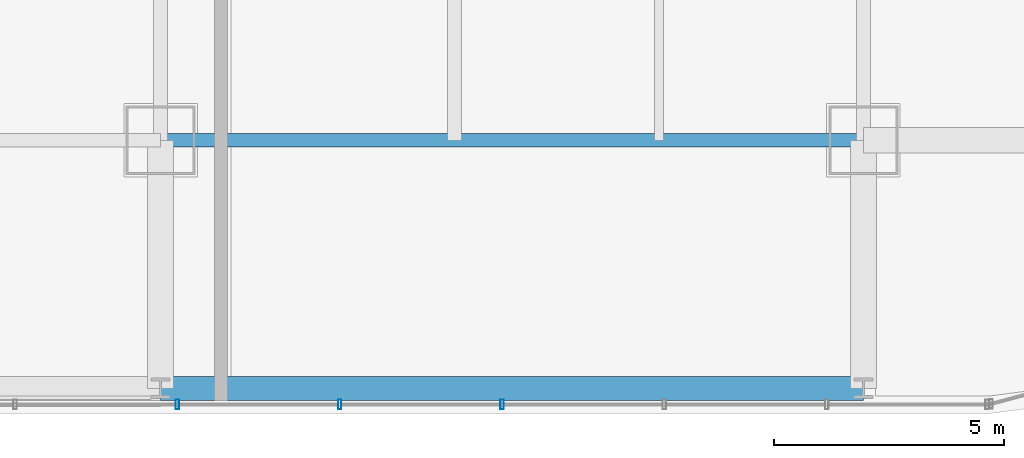
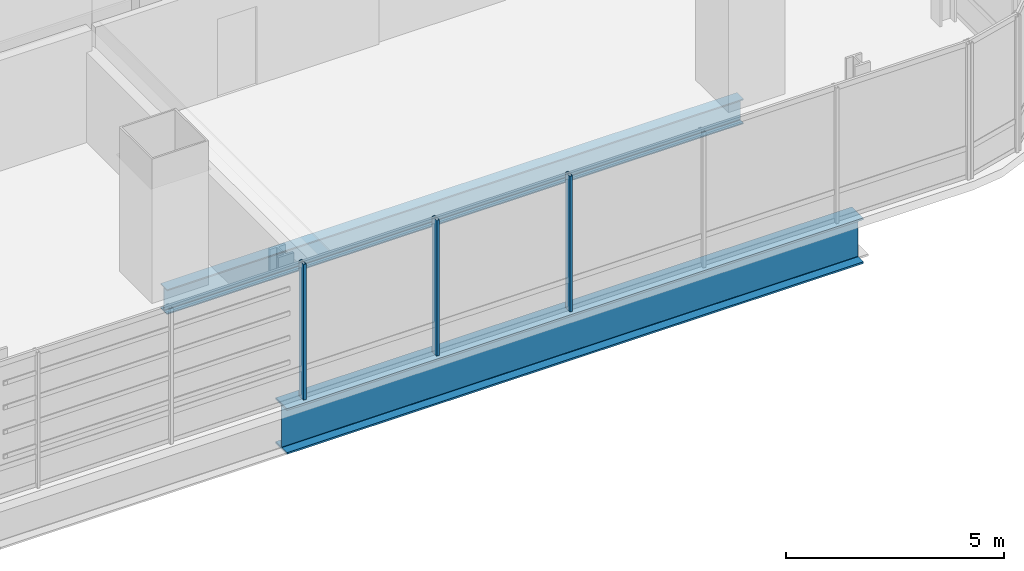
# One storey, part 6 of 34: 3 members, 2 beams, 1 element without a shape of its own.
"""IFC4 building model written with IfcOpenShell, lengths in metres."""

from ifc_helpers import new_model, si_unit, direction, frame, origin, origin_2d, place, context, subcontext, project, spatial, hollow_rectangle, i_section, extrude, material, material_profile, profile_set, type_object, element, aggregate, save


model = new_model("IFC4")

# Units and contexts
model_context = context("Model", 3, precision=1e-05, world=origin(), true_north=direction((0.0, 1.0)))
body_context = subcontext(model_context, "Body", "Model", "MODEL_VIEW")
ifc_project = project(units=[si_unit("LENGTHUNIT", "METRE"), si_unit("AREAUNIT", "SQUARE_METRE"), si_unit("VOLUMEUNIT", "CUBIC_METRE"), si_unit("PLANEANGLEUNIT", "RADIAN"), si_unit("MASSUNIT", "GRAM", prefix="KILO")], contexts=[model_context])

# Site, building, storey
site_placement = place(None, origin())
site = spatial("IfcSite", under=ifc_project, at=site_placement, CompositionType="ELEMENT")
building_placement = place(site_placement, origin())
building = spatial("IfcBuilding", under=site, at=building_placement, Name="Punatoya Terracotta Tower", CompositionType="ELEMENT")
storey_placement = place(building_placement, frame((0.0, 0.0, 80.85009765625)))
storey = spatial("IfcBuildingStorey", under=building, at=storey_placement, Name="L18", CompositionType="ELEMENT", Elevation=80.85009765625)

# Beams
ifc_material_1 = material(Name="Steel S355", Category="steel")
ifc_material_profile_1 = material_profile(ifc_material_1, i_section(OverallWidth=0.300048828125, OverallDepth=0.699951171875, WebThickness=0.01708984375, FlangeThickness=0.031982421875, FilletRadius=0.01806640625, at=origin_2d()))
ifc_profile_set_1 = profile_set([ifc_material_profile_1], Name="Steel S355")
beam_type_1 = type_object("IfcBeamType", Name="BM-PRI-700", PredefinedType="BEAM", material=ifc_profile_set_1)
beam_1_placement = place(storey_placement, frame((3.800048828125, -17.5, -0.590087890625), z_axis=(1.0, 0.0, 0.0), x_axis=(0.0, 1.0, 0.0)))
element("IfcBeam", 1, at=beam_1_placement, inside=storey, type_object=beam_type_1, Name="BM-L18-RG-S3", PredefinedType="BEAM", context=body_context, shape_type="SweptSolid", body=[
    extrude(i_section(OverallWidth=0.300048828125, OverallDepth=0.699951171875, WebThickness=0.01708984375, FlangeThickness=0.031982421875, FilletRadius=0.01806640625, at=origin_2d()), origin(), (0.0, 0.0, 1.0), 15.300048828125),
])
ifc_material_2 = material(Name="Steel S460", Category="steel")
ifc_material_profile_2 = material_profile(ifc_material_2, i_section(OverallWidth=0.52001953125, OverallDepth=1.280029296875, WebThickness=0.031982421875, FlangeThickness=0.050048828125, FilletRadius=0.01806640625, at=origin_2d()))
ifc_profile_set_2 = profile_set([ifc_material_profile_2], Name="Steel S460")
beam_type_2 = type_object("IfcBeamType", Name="BM-TG-NCK", PredefinedType="BEAM", material=ifc_profile_set_2)
beam_2_placement = place(storey_placement, frame((3.800048828125, -22.89990234375, -0.880126953125), z_axis=(1.0, 0.0, 0.0), x_axis=(0.0, 1.0, 0.0)))
element("IfcBeam", 2, at=beam_2_placement, inside=storey, type_object=beam_type_2, Name="BM-L18-PER-S3", PredefinedType="BEAM", context=body_context, shape_type="SweptSolid", body=[
    extrude(i_section(OverallWidth=0.52001953125, OverallDepth=1.280029296875, WebThickness=0.031982421875, FlangeThickness=0.050048828125, FilletRadius=0.01806640625, at=origin_2d()), origin(), (0.0, 0.0, 1.0), 15.300048828125),
])

# Curtain wall, members
ifc_material_3 = material(Name="Aluminium 6063-T6 + Double Low-E Glass", Category="aluminium")
curtain_wall_type = type_object("IfcCurtainWallType", Name="CW-M1", PredefinedType="NOTDEFINED", material=ifc_material_3)
curtain_wall_placement = place(storey_placement, origin())
curtain_wall = element("IfcCurtainWall", 3, at=curtain_wall_placement, inside=storey, type_object=curtain_wall_type, Name="L18 Curtain Wall CW-L18-S01-1", PredefinedType="NOTDEFINED")
ifc_material_4 = material(Name="Aluminium 6063-T6", Category="aluminium")
ifc_material_profile_3 = material_profile(ifc_material_4, hollow_rectangle(XDim=0.074951171875, YDim=0.2099609375, WallThickness=0.00439453125, at=origin_2d()))
ifc_profile_set_3 = profile_set([ifc_material_profile_3], Name="Aluminium 6063-T6")
member_type = type_object("IfcMemberType", Name="CW-MUL-M1", PredefinedType="MULLION", material=ifc_profile_set_3)
member_1_placement = place(storey_placement, frame((4.1669921875, -23.25, 0.0), z_axis=(0.0, 0.0, 1.0), x_axis=(1.0, 0.0, 0.0)))
member_1 = element("IfcMember", 4, at=member_1_placement, type_object=member_type, Name="CW-L18-S01-1 Mullion 06", PredefinedType="MULLION", context=body_context, shape_type="SweptSolid", body=[
    extrude(hollow_rectangle(XDim=0.074951171875, YDim=0.2099609375, WallThickness=0.00439453125, at=origin_2d()), origin(), (0.0, 0.0, 1.0), 3.809814453125),
])
member_2_placement = place(storey_placement, frame((7.700927734375, -23.25, 0.0), z_axis=(0.0, 0.0, 1.0), x_axis=(1.0, 0.0, 0.0)))
member_2 = element("IfcMember", 5, at=member_2_placement, type_object=member_type, Name="CW-L18-S01-1 Mullion 07", PredefinedType="MULLION", context=body_context, shape_type="SweptSolid", body=[
    extrude(hollow_rectangle(XDim=0.074951171875, YDim=0.2099609375, WallThickness=0.00439453125, at=origin_2d()), origin(), (0.0, 0.0, 1.0), 3.809814453125),
])
member_3_placement = place(storey_placement, frame((11.235107421875, -23.25, 0.0), z_axis=(0.0, 0.0, 1.0), x_axis=(1.0, 0.0, 0.0)))
member_3 = element("IfcMember", 6, at=member_3_placement, type_object=member_type, Name="CW-L18-S01-1 Mullion 08", PredefinedType="MULLION", context=body_context, shape_type="SweptSolid", body=[
    extrude(hollow_rectangle(XDim=0.074951171875, YDim=0.2099609375, WallThickness=0.00439453125, at=origin_2d()), origin(), (0.0, 0.0, 1.0), 3.809814453125),
])
aggregate(curtain_wall, [member_1, member_2, member_3])

save(model, "model.ifc")
